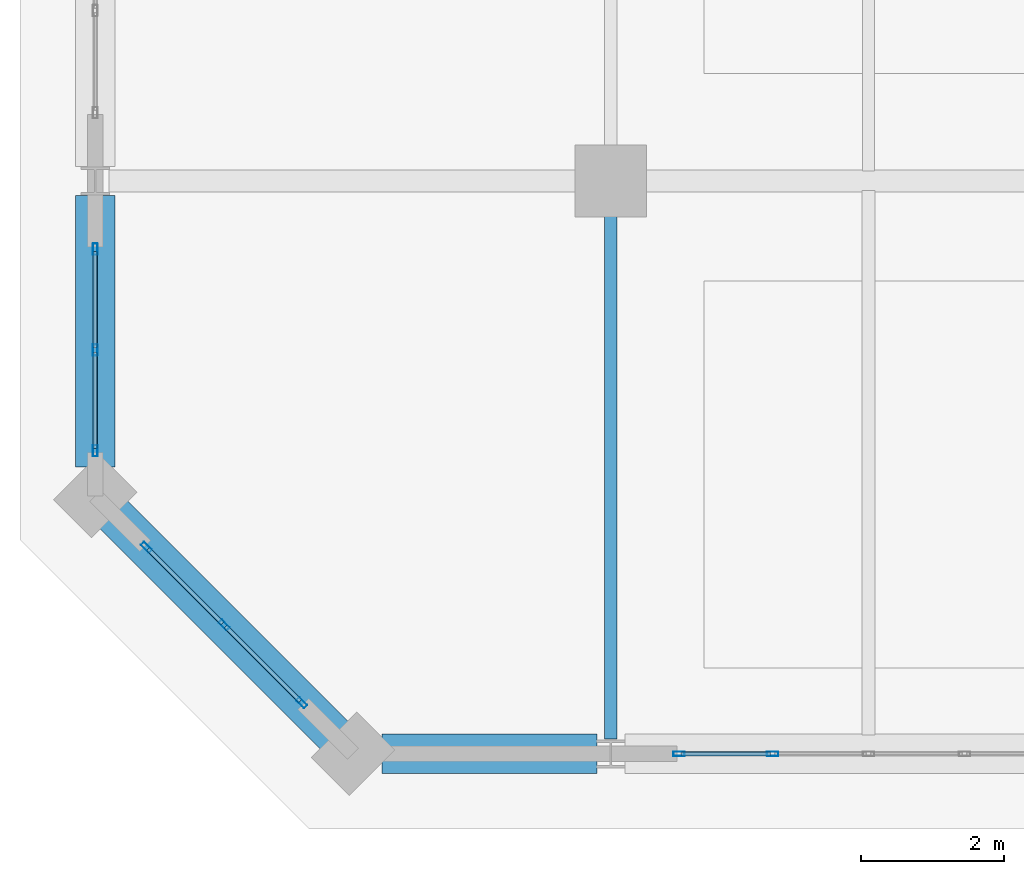
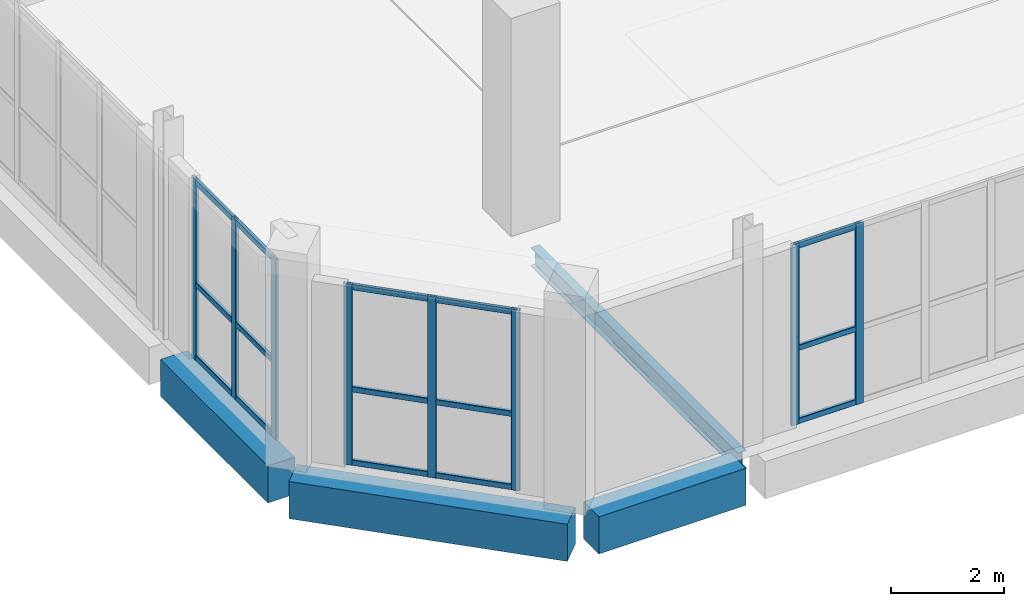
# One storey, part 4 of 36: 23 members, 4 beams, 3 elements without a shape of their own.
"""IFC4 building model written with IfcOpenShell, lengths in metres."""

from ifc_helpers import new_model, si_unit, direction, frame, origin, origin_2d, place, context, subcontext, project, spatial, rectangle, hollow_rectangle, i_section, extrude, material, layer, layer_set, material_profile, profile_set, type_object, element, aggregate, save


model = new_model("IFC4")

# Units and contexts
model_context = context("Model", 3, precision=1e-05, world=origin(), true_north=direction((0.0, 1.0)))
body_context = subcontext(model_context, "Body", "Model", "MODEL_VIEW")
ifc_project = project(units=[si_unit("LENGTHUNIT", "METRE"), si_unit("AREAUNIT", "SQUARE_METRE"), si_unit("VOLUMEUNIT", "CUBIC_METRE"), si_unit("PLANEANGLEUNIT", "RADIAN"), si_unit("MASSUNIT", "GRAM", prefix="KILO")], contexts=[model_context])

# Site, building, storey
site_placement = place(None, origin())
site = spatial("IfcSite", under=ifc_project, at=site_placement, CompositionType="ELEMENT")
building_placement = place(site_placement, origin())
building = spatial("IfcBuilding", under=site, at=building_placement, Name="Kaelvorn Grand Hotel", CompositionType="ELEMENT")
storey_placement = place(building_placement, frame((0.0, 0.0, 305.699951171875)))
storey = spatial("IfcBuildingStorey", under=building, at=storey_placement, Name="L74", CompositionType="ELEMENT", Elevation=305.699951171875)

# Beams
ifc_material_1 = material(Name="Steel S355", Category="steel")
ifc_material_profile_1 = material_profile(ifc_material_1, i_section(OverallWidth=0.179931640625, OverallDepth=0.39990234375, WebThickness=0.008544921875, FlangeThickness=0.013427734375, FilletRadius=0.02099609375, at=origin_2d()), Name="IPE 400")
ifc_profile_set_1 = profile_set([ifc_material_profile_1], Name="Steel S355")
beam_type_1 = type_object("IfcBeamType", Name="BM-J-IPE400-S355", PredefinedType="JOIST", material=ifc_profile_set_1)
beam_1_placement = place(storey_placement, frame((16.199951171875, 7.205078125, -0.579833984375), z_axis=(0.0, 1.0, 0.0), x_axis=(-1.0, 0.0, 0.0)))
element("IfcBeam", 1, at=beam_1_placement, inside=storey, type_object=beam_type_1, Name="L74 Composite Floor Joist JS-05", PredefinedType="JOIST", context=body_context, shape_type="SweptSolid", body=[
    extrude(i_section(OverallWidth=0.179931640625, OverallDepth=0.39990234375, WebThickness=0.008544921875, FlangeThickness=0.013427734375, FilletRadius=0.02099609375, at=origin_2d()), origin(), (0.0, 0.0, 1.0), 7.309814453125),
])
ifc_material_2 = material(Name="Concrete C50/60", Category="concrete")
ifc_material_profile_2 = material_profile(ifc_material_2, rectangle(XDim=0.550048828125, YDim=0.800048828125, at=origin_2d()), Name="RC SPANDREL 550x800")
ifc_profile_set_2 = profile_set([ifc_material_profile_2], Name="Concrete C50/60")
beam_type_2 = type_object("IfcBeamType", Name="BM-SP-550x800-C50", PredefinedType="SPANDREL", material=ifc_profile_set_2)
beam_2_placement = place(storey_placement, frame((13.0048828125, 7.0, -0.780029296875), z_axis=(1.0, 0.0, 0.0), x_axis=(0.0, 1.0, 0.0)))
element("IfcBeam", 2, at=beam_2_placement, inside=storey, type_object=beam_type_2, Name="L74 South Perimeter Spandrel 01", PredefinedType="SPANDREL", context=body_context, shape_type="SweptSolid", body=[
    extrude(rectangle(XDim=0.550048828125, YDim=0.800048828125, at=origin_2d()), origin(), (0.0, 0.0, 1.0), 3.0),
])
beam_3_placement = place(storey_placement, frame((9.0, 11.0048828125, -0.780029296875), z_axis=(0.0, 1.0, 0.0), x_axis=(-1.0, 0.0, 0.0)))
element("IfcBeam", 3, at=beam_3_placement, inside=storey, type_object=beam_type_2, Name="L74 West Perimeter Spandrel 01", PredefinedType="SPANDREL", context=body_context, shape_type="SweptSolid", body=[
    extrude(rectangle(XDim=0.550048828125, YDim=0.800048828125, at=origin_2d()), origin(), (0.0, 0.0, 1.0), 3.7900390625),
])
beam_4_placement = place(storey_placement, frame((9.0, 10.60009765625, -0.780029296875), z_axis=(0.707106781187, -0.707106781187, 0.0), x_axis=(0.707106781187, 0.707106781187, 0.0)))
element("IfcBeam", 4, at=beam_4_placement, inside=storey, type_object=beam_type_2, Name="L74 Chamfer Spandrel Beam 4", PredefinedType="SPANDREL", context=body_context, shape_type="SweptSolid", body=[
    extrude(rectangle(XDim=0.550048828125, YDim=0.800048828125, at=origin_2d()), origin(), (0.0, 0.0, 1.0), 5.09130859375),
])

# Curtain wall, members
ifc_material_3 = material(Name="Anodised Aluminium", Category="aluminium")
ifc_layer = layer(ifc_material_3, 0.159912109375)
ifc_layer_set = layer_set([ifc_layer], Name="Anodised Aluminium")
curtain_wall_type = type_object("IfcCurtainWallType", Name="CW-SYS6", PredefinedType="NOTDEFINED", material=ifc_layer_set)
curtain_wall_1_placement = place(storey_placement, origin())
curtain_wall_1 = element("IfcCurtainWall", 5, at=curtain_wall_1_placement, inside=storey, type_object=curtain_wall_type, Name="L74 Unitised Curtain Wall CW6 (CW-L74-S-01)", PredefinedType="NOTDEFINED")
ifc_material_profile_3 = material_profile(ifc_material_3, hollow_rectangle(XDim=0.06494140625, YDim=0.159912109375, WallThickness=0.00341796875, InnerFilletRadius=0.00341796875, OuterFilletRadius=0.007080078125, at=origin_2d()), Name="ALU MULL 65x160")
ifc_profile_set_3 = profile_set([ifc_material_profile_3], Name="Anodised Aluminium")
member_type_1 = type_object("IfcMemberType", Name="CW-SYS6-MULL", PredefinedType="MULLION", material=ifc_profile_set_3)
member_1_placement = place(storey_placement, frame((17.152587890625, 7.0, 0.0), z_axis=(0.0, 0.0, 1.0), x_axis=(0.0, 1.0, 0.0)))
member_1 = element("IfcMember", 6, at=member_1_placement, type_object=member_type_1, Name="CW6 mullion 1", PredefinedType="MULLION", context=body_context, shape_type="SweptSolid", body=[
    extrude(hollow_rectangle(XDim=0.06494140625, YDim=0.159912109375, WallThickness=0.00341796875, InnerFilletRadius=0.00341796875, OuterFilletRadius=0.007080078125, at=origin_2d()), origin(), (0.0, 0.0, 1.0), 3.900146484375),
])
member_2_placement = place(storey_placement, frame((18.4599609375, 7.0, 0.0), z_axis=(0.0, 0.0, 1.0), x_axis=(0.0, 1.0, 0.0)))
member_2 = element("IfcMember", 7, at=member_2_placement, type_object=member_type_1, Name="CW6 mullion 2", PredefinedType="MULLION", context=body_context, shape_type="SweptSolid", body=[
    extrude(hollow_rectangle(XDim=0.06494140625, YDim=0.159912109375, WallThickness=0.00341796875, InnerFilletRadius=0.00341796875, OuterFilletRadius=0.007080078125, at=origin_2d()), origin(), (0.0, 0.0, 1.0), 3.900146484375),
])

curtain_wall_2_placement = place(storey_placement, origin())
curtain_wall_2 = element("IfcCurtainWall", 8, at=curtain_wall_2_placement, inside=storey, type_object=curtain_wall_type, Name="L74 Unitised Curtain Wall CW6 (CW-L74-W-01)", PredefinedType="NOTDEFINED")
member_3_placement = place(storey_placement, frame((9.0, 14.047607421875, 0.0), z_axis=(0.0, 0.0, 1.0), x_axis=(1.0, 0.0, 0.0)))
member_3 = element("IfcMember", 9, at=member_3_placement, type_object=member_type_1, Name="CW6 mullion 1", PredefinedType="MULLION", context=body_context, shape_type="SweptSolid", body=[
    extrude(hollow_rectangle(XDim=0.06494140625, YDim=0.159912109375, WallThickness=0.00341796875, InnerFilletRadius=0.00341796875, OuterFilletRadius=0.007080078125, at=origin_2d()), origin(), (0.0, 0.0, 1.0), 3.900146484375),
])
member_4_placement = place(storey_placement, frame((9.0, 12.639892578125, 0.0), z_axis=(0.0, 0.0, 1.0), x_axis=(1.0, 0.0, 0.0)))
member_4 = element("IfcMember", 10, at=member_4_placement, type_object=member_type_1, Name="CW6 mullion 2", PredefinedType="MULLION", context=body_context, shape_type="SweptSolid", body=[
    extrude(hollow_rectangle(XDim=0.06494140625, YDim=0.159912109375, WallThickness=0.00341796875, InnerFilletRadius=0.00341796875, OuterFilletRadius=0.007080078125, at=origin_2d()), origin(), (0.0, 0.0, 1.0), 3.900146484375),
])
member_5_placement = place(storey_placement, frame((9.0, 11.232421875, 0.0), z_axis=(0.0, 0.0, 1.0), x_axis=(1.0, 0.0, 0.0)))
member_5 = element("IfcMember", 11, at=member_5_placement, type_object=member_type_1, Name="CW6 mullion 3", PredefinedType="MULLION", context=body_context, shape_type="SweptSolid", body=[
    extrude(hollow_rectangle(XDim=0.06494140625, YDim=0.159912109375, WallThickness=0.00341796875, InnerFilletRadius=0.00341796875, OuterFilletRadius=0.007080078125, at=origin_2d()), origin(), (0.0, 0.0, 1.0), 3.900146484375),
])

curtain_wall_3_placement = place(storey_placement, origin())
curtain_wall_3 = element("IfcCurtainWall", 12, at=curtain_wall_3_placement, inside=storey, type_object=curtain_wall_type, Name="L74 Unitised Curtain Wall CW6 (CW-L74-SW)", PredefinedType="NOTDEFINED")
member_6_placement = place(storey_placement, frame((9.716064453125, 9.884033203125, 0.0), z_axis=(0.0, 0.0, 1.0), x_axis=(0.707106781187, 0.707106781187, 0.0)))
member_6 = element("IfcMember", 13, at=member_6_placement, type_object=member_type_1, Name="CW6 mullion 1", PredefinedType="MULLION", context=body_context, shape_type="SweptSolid", body=[
    extrude(hollow_rectangle(XDim=0.06494140625, YDim=0.159912109375, WallThickness=0.00341796875, InnerFilletRadius=0.00341796875, OuterFilletRadius=0.007080078125, at=origin_2d()), origin(), (0.0, 0.0, 1.0), 3.900146484375),
])
member_7_placement = place(storey_placement, frame((10.800048828125, 8.800048828125, 0.0), z_axis=(0.0, 0.0, 1.0), x_axis=(0.707106781187, 0.707106781187, 0.0)))
member_7 = element("IfcMember", 14, at=member_7_placement, type_object=member_type_1, Name="CW6 mullion 2", PredefinedType="MULLION", context=body_context, shape_type="SweptSolid", body=[
    extrude(hollow_rectangle(XDim=0.06494140625, YDim=0.159912109375, WallThickness=0.00341796875, InnerFilletRadius=0.00341796875, OuterFilletRadius=0.007080078125, at=origin_2d()), origin(), (0.0, 0.0, 1.0), 3.900146484375),
])
member_8_placement = place(storey_placement, frame((11.884033203125, 7.7158203125, 0.0), z_axis=(0.0, 0.0, 1.0), x_axis=(0.707106781187, 0.707106781187, 0.0)))
member_8 = element("IfcMember", 15, at=member_8_placement, type_object=member_type_1, Name="CW6 mullion 3", PredefinedType="MULLION", context=body_context, shape_type="SweptSolid", body=[
    extrude(hollow_rectangle(XDim=0.06494140625, YDim=0.159912109375, WallThickness=0.00341796875, InnerFilletRadius=0.00341796875, OuterFilletRadius=0.007080078125, at=origin_2d()), origin(), (0.0, 0.0, 1.0), 3.900146484375),
])

# Member
ifc_material_profile_4 = material_profile(ifc_material_3, hollow_rectangle(XDim=0.06494140625, YDim=0.1201171875, WallThickness=0.00341796875, InnerFilletRadius=0.00341796875, OuterFilletRadius=0.007080078125, at=origin_2d()), Name="ALU TRAN 65x120")
ifc_profile_set_4 = profile_set([ifc_material_profile_4], Name="Anodised Aluminium")
member_type_2 = type_object("IfcMemberType", Name="CW-SYS6-TRAN", PredefinedType="NOTDEFINED", material=ifc_profile_set_4)
member_9_placement = place(storey_placement, frame((17.18505859375, 7.0, 0.06005859375), z_axis=(1.0, 0.0, 0.0), x_axis=(0.0, 1.0, 0.0)))
member_9 = element("IfcMember", 16, at=member_9_placement, type_object=member_type_2, Name="CW6 transom 1.1", ObjectType="TRANSOM", PredefinedType="USERDEFINED", context=body_context, shape_type="SweptSolid", body=[
    extrude(hollow_rectangle(XDim=0.06494140625, YDim=0.1201171875, WallThickness=0.00341796875, InnerFilletRadius=0.00341796875, OuterFilletRadius=0.007080078125, at=origin_2d()), origin(), (0.0, 0.0, 1.0), 1.242431640625),
])

member_10_placement = place(storey_placement, frame((17.18505859375, 7.0, 1.637939453125), z_axis=(1.0, 0.0, 0.0), x_axis=(0.0, 1.0, 0.0)))
member_10 = element("IfcMember", 17, at=member_10_placement, type_object=member_type_2, Name="CW6 transom 1.2", ObjectType="TRANSOM", PredefinedType="USERDEFINED", context=body_context, shape_type="SweptSolid", body=[
    extrude(hollow_rectangle(XDim=0.06494140625, YDim=0.1201171875, WallThickness=0.00341796875, InnerFilletRadius=0.00341796875, OuterFilletRadius=0.007080078125, at=origin_2d()), origin(), (0.0, 0.0, 1.0), 1.242431640625),
])

member_11_placement = place(storey_placement, frame((17.18505859375, 7.0, 3.840087890625), z_axis=(1.0, 0.0, 0.0), x_axis=(0.0, 1.0, 0.0)))
member_11 = element("IfcMember", 18, at=member_11_placement, type_object=member_type_2, Name="CW6 transom 1.3", ObjectType="TRANSOM", PredefinedType="USERDEFINED", context=body_context, shape_type="SweptSolid", body=[
    extrude(hollow_rectangle(XDim=0.06494140625, YDim=0.1201171875, WallThickness=0.00341796875, InnerFilletRadius=0.00341796875, OuterFilletRadius=0.007080078125, at=origin_2d()), origin(), (0.0, 0.0, 1.0), 1.242431640625),
])

aggregate(curtain_wall_1, [member_1, member_2, member_9, member_10, member_11])

member_12_placement = place(storey_placement, frame((9.0, 14.014892578125, 0.06005859375), z_axis=(0.0, -1.0, 0.0), x_axis=(1.0, 0.0, 0.0)))
member_12 = element("IfcMember", 19, at=member_12_placement, type_object=member_type_2, Name="CW6 transom 1.1", ObjectType="TRANSOM", PredefinedType="USERDEFINED", context=body_context, shape_type="SweptSolid", body=[
    extrude(hollow_rectangle(XDim=0.06494140625, YDim=0.1201171875, WallThickness=0.00341796875, InnerFilletRadius=0.00341796875, OuterFilletRadius=0.007080078125, at=origin_2d()), origin(), (0.0, 0.0, 1.0), 1.34228515625),
])

member_13_placement = place(storey_placement, frame((9.0, 14.014892578125, 1.637939453125), z_axis=(0.0, -1.0, 0.0), x_axis=(1.0, 0.0, 0.0)))
member_13 = element("IfcMember", 20, at=member_13_placement, type_object=member_type_2, Name="CW6 transom 1.2", ObjectType="TRANSOM", PredefinedType="USERDEFINED", context=body_context, shape_type="SweptSolid", body=[
    extrude(hollow_rectangle(XDim=0.06494140625, YDim=0.1201171875, WallThickness=0.00341796875, InnerFilletRadius=0.00341796875, OuterFilletRadius=0.007080078125, at=origin_2d()), origin(), (0.0, 0.0, 1.0), 1.34228515625),
])

member_14_placement = place(storey_placement, frame((9.0, 14.014892578125, 3.840087890625), z_axis=(0.0, -1.0, 0.0), x_axis=(1.0, 0.0, 0.0)))
member_14 = element("IfcMember", 21, at=member_14_placement, type_object=member_type_2, Name="CW6 transom 1.3", ObjectType="TRANSOM", PredefinedType="USERDEFINED", context=body_context, shape_type="SweptSolid", body=[
    extrude(hollow_rectangle(XDim=0.06494140625, YDim=0.1201171875, WallThickness=0.00341796875, InnerFilletRadius=0.00341796875, OuterFilletRadius=0.007080078125, at=origin_2d()), origin(), (0.0, 0.0, 1.0), 1.34228515625),
])

member_15_placement = place(storey_placement, frame((9.0, 12.607421875, 0.06005859375), z_axis=(0.0, -1.0, 0.0), x_axis=(1.0, 0.0, 0.0)))
member_15 = element("IfcMember", 22, at=member_15_placement, type_object=member_type_2, Name="CW6 transom 2.1", ObjectType="TRANSOM", PredefinedType="USERDEFINED", context=body_context, shape_type="SweptSolid", body=[
    extrude(hollow_rectangle(XDim=0.06494140625, YDim=0.1201171875, WallThickness=0.00341796875, InnerFilletRadius=0.00341796875, OuterFilletRadius=0.007080078125, at=origin_2d()), origin(), (0.0, 0.0, 1.0), 1.342529296875),
])

member_16_placement = place(storey_placement, frame((9.0, 12.607421875, 1.637939453125), z_axis=(0.0, -1.0, 0.0), x_axis=(1.0, 0.0, 0.0)))
member_16 = element("IfcMember", 23, at=member_16_placement, type_object=member_type_2, Name="CW6 transom 2.2", ObjectType="TRANSOM", PredefinedType="USERDEFINED", context=body_context, shape_type="SweptSolid", body=[
    extrude(hollow_rectangle(XDim=0.06494140625, YDim=0.1201171875, WallThickness=0.00341796875, InnerFilletRadius=0.00341796875, OuterFilletRadius=0.007080078125, at=origin_2d()), origin(), (0.0, 0.0, 1.0), 1.342529296875),
])

member_17_placement = place(storey_placement, frame((9.0, 12.607421875, 3.840087890625), z_axis=(0.0, -1.0, 0.0), x_axis=(1.0, 0.0, 0.0)))
member_17 = element("IfcMember", 24, at=member_17_placement, type_object=member_type_2, Name="CW6 transom 2.3", ObjectType="TRANSOM", PredefinedType="USERDEFINED", context=body_context, shape_type="SweptSolid", body=[
    extrude(hollow_rectangle(XDim=0.06494140625, YDim=0.1201171875, WallThickness=0.00341796875, InnerFilletRadius=0.00341796875, OuterFilletRadius=0.007080078125, at=origin_2d()), origin(), (0.0, 0.0, 1.0), 1.342529296875),
])

aggregate(curtain_wall_2, [member_3, member_4, member_5, member_12, member_13, member_14, member_15, member_16, member_17])

member_18_placement = place(storey_placement, frame((9.739013671875, 9.861083984375, 0.06005859375), z_axis=(0.707106781187, -0.707106781187, 0.0), x_axis=(0.707106781187, 0.707106781187, 0.0)))
member_18 = element("IfcMember", 25, at=member_18_placement, type_object=member_type_2, Name="CW6 transom 1.1", ObjectType="TRANSOM", PredefinedType="USERDEFINED", context=body_context, shape_type="SweptSolid", body=[
    extrude(hollow_rectangle(XDim=0.06494140625, YDim=0.1201171875, WallThickness=0.00341796875, InnerFilletRadius=0.00341796875, OuterFilletRadius=0.007080078125, at=origin_2d()), origin(), (0.0, 0.0, 1.0), 1.468017578125),
])

member_19_placement = place(storey_placement, frame((9.739013671875, 9.861083984375, 1.637939453125), z_axis=(0.707106781187, -0.707106781187, 0.0), x_axis=(0.707106781187, 0.707106781187, 0.0)))
member_19 = element("IfcMember", 26, at=member_19_placement, type_object=member_type_2, Name="CW6 transom 1.2", ObjectType="TRANSOM", PredefinedType="USERDEFINED", context=body_context, shape_type="SweptSolid", body=[
    extrude(hollow_rectangle(XDim=0.06494140625, YDim=0.1201171875, WallThickness=0.00341796875, InnerFilletRadius=0.00341796875, OuterFilletRadius=0.007080078125, at=origin_2d()), origin(), (0.0, 0.0, 1.0), 1.468017578125),
])

member_20_placement = place(storey_placement, frame((9.739013671875, 9.861083984375, 3.840087890625), z_axis=(0.707106781187, -0.707106781187, 0.0), x_axis=(0.707106781187, 0.707106781187, 0.0)))
member_20 = element("IfcMember", 27, at=member_20_placement, type_object=member_type_2, Name="CW6 transom 1.3", ObjectType="TRANSOM", PredefinedType="USERDEFINED", context=body_context, shape_type="SweptSolid", body=[
    extrude(hollow_rectangle(XDim=0.06494140625, YDim=0.1201171875, WallThickness=0.00341796875, InnerFilletRadius=0.00341796875, OuterFilletRadius=0.007080078125, at=origin_2d()), origin(), (0.0, 0.0, 1.0), 1.468017578125),
])

member_21_placement = place(storey_placement, frame((10.822998046875, 8.777099609375, 0.06005859375), z_axis=(0.707106781187, -0.707106781187, 0.0), x_axis=(0.707106781187, 0.707106781187, 0.0)))
member_21 = element("IfcMember", 28, at=member_21_placement, type_object=member_type_2, Name="CW6 transom 2.1", ObjectType="TRANSOM", PredefinedType="USERDEFINED", context=body_context, shape_type="SweptSolid", body=[
    extrude(hollow_rectangle(XDim=0.06494140625, YDim=0.1201171875, WallThickness=0.00341796875, InnerFilletRadius=0.00341796875, OuterFilletRadius=0.007080078125, at=origin_2d()), origin(), (0.0, 0.0, 1.0), 1.468017578125),
])

member_22_placement = place(storey_placement, frame((10.822998046875, 8.777099609375, 1.637939453125), z_axis=(0.707106781187, -0.707106781187, 0.0), x_axis=(0.707106781187, 0.707106781187, 0.0)))
member_22 = element("IfcMember", 29, at=member_22_placement, type_object=member_type_2, Name="CW6 transom 2.2", ObjectType="TRANSOM", PredefinedType="USERDEFINED", context=body_context, shape_type="SweptSolid", body=[
    extrude(hollow_rectangle(XDim=0.06494140625, YDim=0.1201171875, WallThickness=0.00341796875, InnerFilletRadius=0.00341796875, OuterFilletRadius=0.007080078125, at=origin_2d()), origin(), (0.0, 0.0, 1.0), 1.468017578125),
])

member_23_placement = place(storey_placement, frame((10.822998046875, 8.777099609375, 3.840087890625), z_axis=(0.707106781187, -0.707106781187, 0.0), x_axis=(0.707106781187, 0.707106781187, 0.0)))
member_23 = element("IfcMember", 30, at=member_23_placement, type_object=member_type_2, Name="CW6 transom 2.3", ObjectType="TRANSOM", PredefinedType="USERDEFINED", context=body_context, shape_type="SweptSolid", body=[
    extrude(hollow_rectangle(XDim=0.06494140625, YDim=0.1201171875, WallThickness=0.00341796875, InnerFilletRadius=0.00341796875, OuterFilletRadius=0.007080078125, at=origin_2d()), origin(), (0.0, 0.0, 1.0), 1.468017578125),
])

aggregate(curtain_wall_3, [member_6, member_7, member_8, member_18, member_19, member_20, member_21, member_22, member_23])

save(model, "model.ifc")
